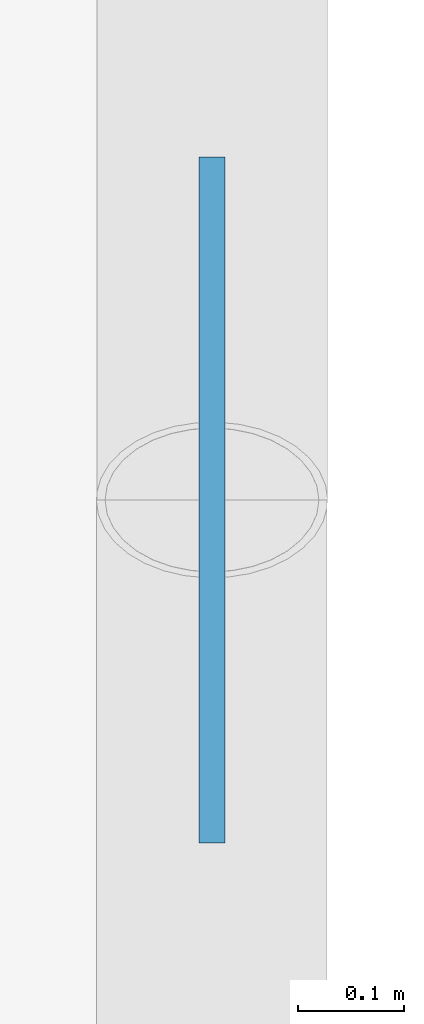
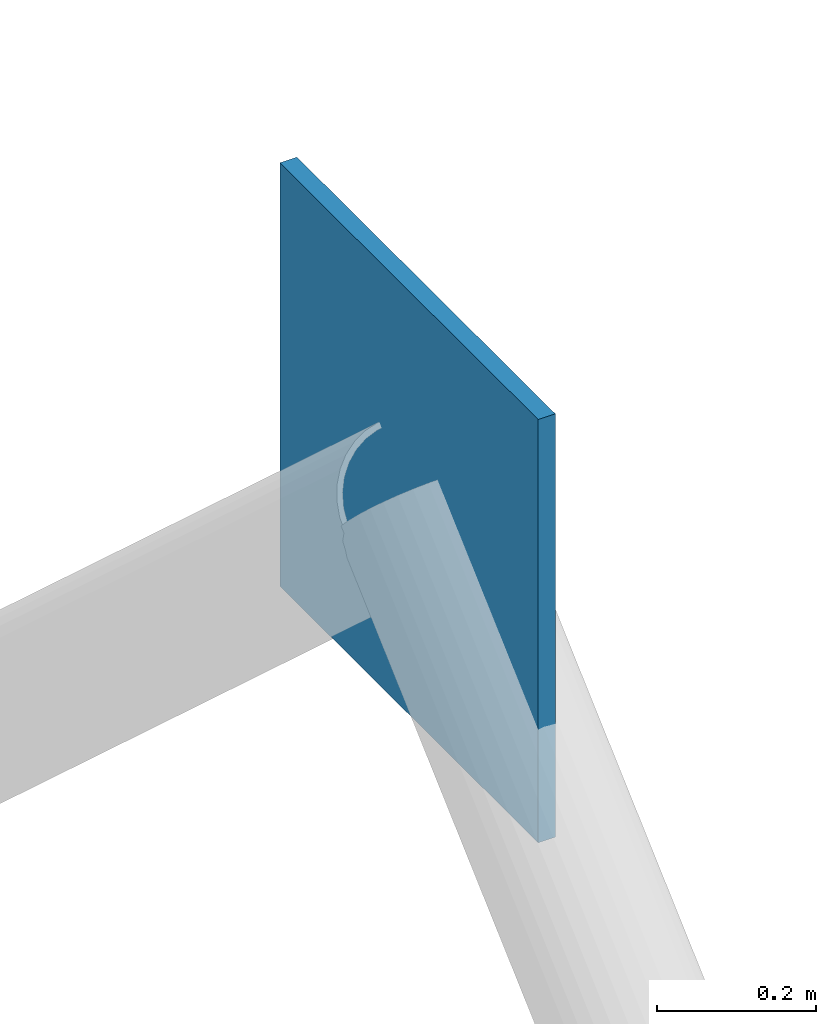
# One storey, part 67 of 93: 1 plate.
"""IFC4 building model written with IfcOpenShell, lengths in metres."""

from ifc_helpers import new_model, si_unit, direction, frame, origin, origin_2d, place, context, subcontext, project, spatial, rectangle, extrude, material, layer, layer_set, type_object, element, save


model = new_model("IFC4")

# Units and contexts
model_context = context("Model", 3, precision=1e-05, world=origin(), true_north=direction((0.0, 1.0)))
body_context = subcontext(model_context, "Body", "Model", "MODEL_VIEW")
ifc_project = project(units=[si_unit("LENGTHUNIT", "METRE"), si_unit("AREAUNIT", "SQUARE_METRE"), si_unit("VOLUMEUNIT", "CUBIC_METRE"), si_unit("PLANEANGLEUNIT", "RADIAN"), si_unit("MASSUNIT", "GRAM", prefix="KILO")], contexts=[model_context])

# Site, building, storey
site_placement = place(None, origin())
site = spatial("IfcSite", under=ifc_project, at=site_placement, CompositionType="ELEMENT")
building_placement = place(site_placement, origin())
building = spatial("IfcBuilding", under=site, at=building_placement, Name="Marnock Terrace Opera House", CompositionType="ELEMENT")
storey_placement = place(building_placement, frame((0.0, 0.0, 5.39990234375)))
storey = spatial("IfcBuildingStorey", under=building, at=storey_placement, Name="L01", CompositionType="ELEMENT", Elevation=5.39990234375)

# Plate
ifc_material = material(Name="Steel Grade 350 (AS/NZS 3679.1)", Category="steel")
ifc_layer = layer(ifc_material, 0.02490234375)
ifc_layer_set = layer_set([ifc_layer], Name="Steel Grade 350 (AS/NZS 3679.1)")
plate_type = type_object("IfcPlateType", Name="PLT-GUSSET-25", PredefinedType="SHEET", material=ifc_layer_set)
plate_placement = place(storey_placement, frame((164.0, 89.25, 3.855224609375), z_axis=(0.0, 0.0, 1.0), x_axis=(0.0, 1.0, 0.0)))
element("IfcPlate", 1, at=plate_placement, inside=storey, type_object=plate_type, Name="L01 chevron brace gusset plate BN-7", PredefinedType="SHEET", context=body_context, shape_type="SweptSolid", body=[
    extrude(rectangle(XDim=0.64990234375, YDim=0.02490234375, at=origin_2d()), origin(), (0.0, 0.0, 1.0), 0.64990234375),
])

save(model, "model.ifc")
